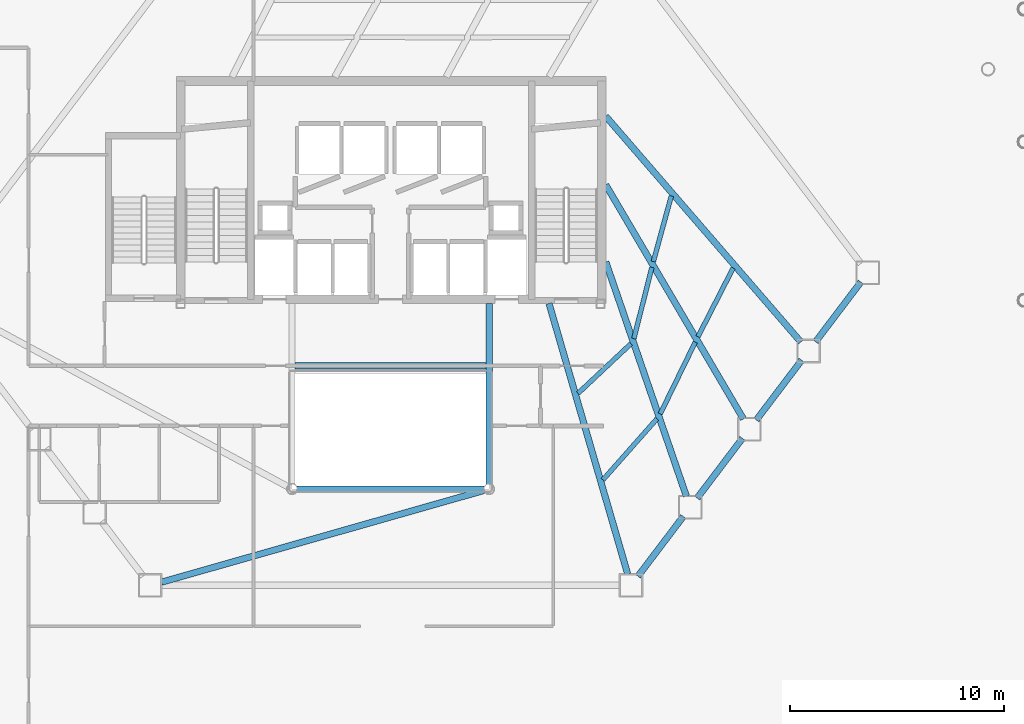
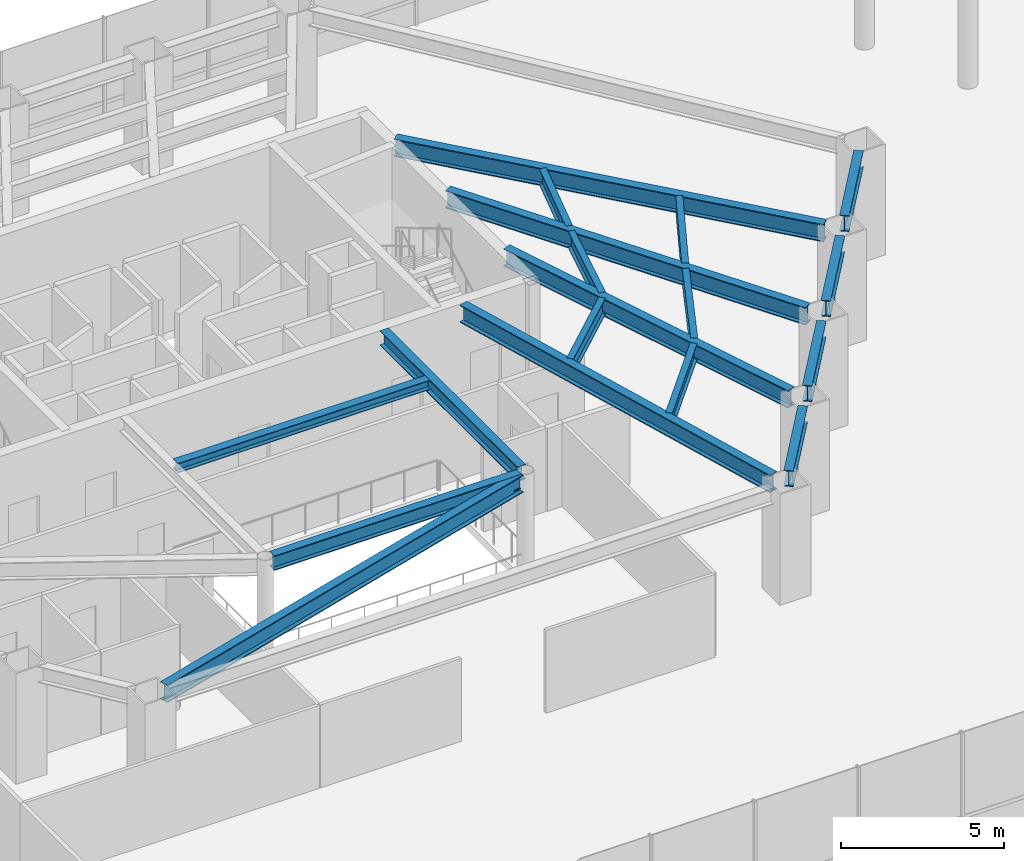
# One storey, part 16 of 37: 18 beams.
"""IFC4 building model written with IfcOpenShell, lengths in metres."""

from ifc_helpers import new_model, si_unit, direction, frame, origin, origin_2d, place, context, subcontext, project, spatial, i_section, extrude, material, material_profile, profile_set, type_object, element, save


model = new_model("IFC4")

# Units and contexts
model_context = context("Model", 3, precision=1e-05, world=origin(), true_north=direction((0.0, 1.0)))
body_context = subcontext(model_context, "Body", "Model", "MODEL_VIEW")
ifc_project = project(units=[si_unit("LENGTHUNIT", "METRE"), si_unit("AREAUNIT", "SQUARE_METRE"), si_unit("VOLUMEUNIT", "CUBIC_METRE"), si_unit("PLANEANGLEUNIT", "RADIAN"), si_unit("MASSUNIT", "GRAM", prefix="KILO")], contexts=[model_context])

# Site, building, storey
site_placement = place(None, origin())
site = spatial("IfcSite", under=ifc_project, at=site_placement, CompositionType="ELEMENT")
building_placement = place(site_placement, origin())
building = spatial("IfcBuilding", under=site, at=building_placement, Name="Zarrinselat Tower", CompositionType="ELEMENT")
storey_placement = place(building_placement, frame((0.0, 0.0, 13.93994140625)))
storey = spatial("IfcBuildingStorey", under=building, at=storey_placement, Name="L03", CompositionType="ELEMENT", Elevation=13.93994140625)

# Beams
ifc_material_1 = material(Name="Steel S355J2", Category="steel")
ifc_material_profile_1 = material_profile(ifc_material_1, i_section(OverallWidth=0.300048828125, OverallDepth=0.35009765625, WebThickness=0.010009765625, FlangeThickness=0.017578125, at=origin_2d()), Name="HEA 360")
ifc_profile_set_1 = profile_set([ifc_material_profile_1], Name="Steel S355J2")
beam_type_1 = type_object("IfcBeamType", Name="BM-HEA360", PredefinedType="LINTEL", material=ifc_profile_set_1)
beam_1_placement = place(storey_placement, frame((33.93994140625, 30.14990234375, 3.965087890625), z_axis=(1.0, 0.0, 0.0), x_axis=(0.0, 1.0, 0.0)))
element("IfcBeam", 1, at=beam_1_placement, inside=storey, type_object=beam_type_1, Name="L03 Lift Lobby Ceiling Beam", PredefinedType="LINTEL", context=body_context, shape_type="SweptSolid", body=[
    extrude(i_section(OverallWidth=0.300048828125, OverallDepth=0.35009765625, WebThickness=0.010009765625, FlangeThickness=0.017578125, at=origin_2d()), origin(), (0.0, 0.0, 1.0), 8.920166015625),
])
ifc_material_2 = material(Name="Steel S355J2", Category="steel")
ifc_material_profile_2 = material_profile(ifc_material_2, i_section(OverallWidth=0.300048828125, OverallDepth=0.550048828125, WebThickness=0.014892578125, FlangeThickness=0.029052734375, at=origin_2d()), Name="HEB 550")
ifc_profile_set_2 = profile_set([ifc_material_profile_2], Name="Steel S355J2")
beam_type_2 = type_object("IfcBeamType", Name="BM-HEB550", PredefinedType="BEAM", material=ifc_profile_set_2)
beam_2_placement = place(storey_placement, frame((34.0400390625, 24.39990234375, 3.864990234375), z_axis=(1.0, 0.0, 0.0), x_axis=(0.0, 1.0, 0.0)))
element("IfcBeam", 2, at=beam_2_placement, inside=storey, type_object=beam_type_2, Name="L03 Atrium Edge Beam S", PredefinedType="BEAM", context=body_context, shape_type="SweptSolid", body=[
    extrude(i_section(OverallWidth=0.300048828125, OverallDepth=0.550048828125, WebThickness=0.014892578125, FlangeThickness=0.029052734375, at=origin_2d()), origin(), (0.0, 0.0, 1.0), 8.719970703125),
])
beam_3_placement = place(storey_placement, frame((43.0, 24.639892578125, 3.864990234375), z_axis=(0.0, 1.0, 0.0), x_axis=(-1.0, 0.0, 0.0)))
element("IfcBeam", 3, at=beam_3_placement, inside=storey, type_object=beam_type_2, Name="L03 Atrium Edge Beam E", PredefinedType="BEAM", context=body_context, shape_type="SweptSolid", body=[
    extrude(i_section(OverallWidth=0.300048828125, OverallDepth=0.550048828125, WebThickness=0.014892578125, FlangeThickness=0.029052734375, at=origin_2d()), origin(), (0.0, 0.0, 1.0), 8.420166015625),
])
ifc_material_3 = material(Name="Steel S355J2", Category="steel")
ifc_material_profile_3 = material_profile(ifc_material_3, i_section(OverallWidth=0.300048828125, OverallDepth=0.60009765625, WebThickness=0.015380859375, FlangeThickness=0.030029296875, at=origin_2d()), Name="HEB 600")
ifc_profile_set_3 = profile_set([ifc_material_profile_3], Name="Steel S355J2")
beam_type_3 = type_object("IfcBeamType", Name="BM-HEB600", PredefinedType="BEAM", material=ifc_profile_set_3)
beam_4_placement = place(storey_placement, frame((49.951904296875, 20.32470703125, 3.840087890625), z_axis=(0.60380802351, 0.797129770329, 0.0), x_axis=(-0.797129770329, 0.60380802351, 0.0)))
element("IfcBeam", 4, at=beam_4_placement, inside=storey, type_object=beam_type_3, Name="L03 Perimeter Spandrel Girder SP11", PredefinedType="BEAM", context=body_context, shape_type="SweptSolid", body=[
    extrude(i_section(OverallWidth=0.300048828125, OverallDepth=0.60009765625, WebThickness=0.015380859375, FlangeThickness=0.030029296875, at=origin_2d()), origin(), (0.0, 0.0, 1.0), 3.501953125),
])
beam_5_placement = place(storey_placement, frame((52.71630859375, 23.973876953125, 3.840087890625), z_axis=(0.603841579957, 0.797104350958, 0.0), x_axis=(-0.797104350958, 0.603841579957, 0.0)))
element("IfcBeam", 5, at=beam_5_placement, inside=storey, type_object=beam_type_3, Name="L03 Perimeter Spandrel Girder SP12", PredefinedType="BEAM", context=body_context, shape_type="SweptSolid", body=[
    extrude(i_section(OverallWidth=0.300048828125, OverallDepth=0.60009765625, WebThickness=0.015380859375, FlangeThickness=0.030029296875, at=origin_2d()), origin(), (0.0, 0.0, 1.0), 3.501708984375),
])
for number, where, z_axis, x_axis, name in (
    (6, (55.480712890625, 27.622802734375, 3.840087890625), (0.60380802351, 0.797129770329, 0.0), (-0.797129770329, 0.60380802351, 0.0), "L03 Perimeter Spandrel Girder SP13"),
    (7, (58.2451171875, 31.271728515625, 3.840087890625), (0.60380802351, 0.797129770329, 0.0), (-0.797129770329, 0.60380802351, 0.0), "L03 Perimeter Spandrel Girder SP14"),
):
    element("IfcBeam", number, at=place(storey_placement, frame(where, z_axis=z_axis, x_axis=x_axis)), inside=storey, type_object=beam_type_3, Name=name, PredefinedType="BEAM", context=body_context, shape_type="SweptSolid", body=[
        extrude(i_section(OverallWidth=0.300048828125, OverallDepth=0.60009765625, WebThickness=0.015380859375, FlangeThickness=0.030029296875, at=origin_2d()), origin(), (0.0, 0.0, 1.0), 3.501953125),
    ])
ifc_material_4 = material(Name="Steel S355J2", Category="steel")
ifc_material_profile_4 = material_profile(ifc_material_4, i_section(OverallWidth=0.300048828125, OverallDepth=0.64990234375, WebThickness=0.01611328125, FlangeThickness=0.031005859375, at=origin_2d()), Name="HEB 650")
ifc_profile_set_4 = profile_set([ifc_material_profile_4], Name="Steel S355J2")
beam_type_4 = type_object("IfcBeamType", Name="BM-HEB650", PredefinedType="BEAM", material=ifc_profile_set_4)
beam_6_placement = place(storey_placement, frame((27.703857421875, 20.047119140625, 3.81494140625), z_axis=(0.961813567689, 0.27370542744, 0.0), x_axis=(-0.27370542744, 0.961813567689, 0.0)))
element("IfcBeam", 8, at=beam_6_placement, inside=storey, type_object=beam_type_4, Name="L03 Radial Primary Girder RG10", PredefinedType="BEAM", context=body_context, shape_type="SweptSolid", body=[
    extrude(i_section(OverallWidth=0.300048828125, OverallDepth=0.64990234375, WebThickness=0.01611328125, FlangeThickness=0.031005859375, at=origin_2d()), origin(), (0.0, 0.0, 1.0), 15.6533203125),
])
beam_7_placement = place(storey_placement, frame((45.800048828125, 33.06005859375, 3.81494140625), z_axis=(0.279154101164, -0.960246316214, 0.0), x_axis=(0.960246316214, 0.279154101164, 0.0)))
element("IfcBeam", 9, at=beam_7_placement, inside=storey, type_object=beam_type_4, Name="L03 Radial Primary Girder RG11", PredefinedType="BEAM", context=body_context, shape_type="SweptSolid", body=[
    extrude(i_section(OverallWidth=0.300048828125, OverallDepth=0.64990234375, WebThickness=0.01611328125, FlangeThickness=0.031005859375, at=origin_2d()), origin(), (0.0, 0.0, 1.0), 13.156982421875),
])
beam_8_placement = place(storey_placement, frame((48.449951171875, 35.0, 3.81494140625), z_axis=(0.325366553605, -0.945587968301, 0.0), x_axis=(0.945587968301, 0.325366553605, 0.0)))
element("IfcBeam", 10, at=beam_8_placement, inside=storey, type_object=beam_type_4, Name="L03 Radial Primary Girder RG12", PredefinedType="BEAM", context=body_context, shape_type="SweptSolid", body=[
    extrude(i_section(OverallWidth=0.300048828125, OverallDepth=0.64990234375, WebThickness=0.01611328125, FlangeThickness=0.031005859375, at=origin_2d()), origin(), (0.0, 0.0, 1.0), 11.562255859375),
])
beam_9_placement = place(storey_placement, frame((48.449951171875, 38.60009765625, 3.81494140625), z_axis=(0.506815631178, -0.862054473913, 0.0), x_axis=(0.862054473913, 0.506815631178, 0.0)))
element("IfcBeam", 11, at=beam_9_placement, inside=storey, type_object=beam_type_4, Name="L03 Radial Primary Girder RG13", PredefinedType="BEAM", context=body_context, shape_type="SweptSolid", body=[
    extrude(i_section(OverallWidth=0.300048828125, OverallDepth=0.64990234375, WebThickness=0.01611328125, FlangeThickness=0.031005859375, at=origin_2d()), origin(), (0.0, 0.0, 1.0), 12.67919921875),
])
beam_10_placement = place(storey_placement, frame((48.449951171875, 41.800048828125, 3.81494140625), z_axis=(0.653899074597, -0.756581786882, 0.0), x_axis=(0.756581786882, 0.653899074597, 0.0)))
element("IfcBeam", 12, at=beam_10_placement, inside=storey, type_object=beam_type_4, Name="L03 Radial Primary Girder RG14", PredefinedType="BEAM", context=body_context, shape_type="SweptSolid", body=[
    extrude(i_section(OverallWidth=0.300048828125, OverallDepth=0.64990234375, WebThickness=0.01611328125, FlangeThickness=0.031005859375, at=origin_2d()), origin(), (0.0, 0.0, 1.0), 13.930419921875),
])
ifc_material_5 = material(Name="Steel S355J2", Category="steel")
ifc_material_profile_5 = material_profile(ifc_material_5, i_section(OverallWidth=0.219970703125, OverallDepth=0.60009765625, WebThickness=0.011962890625, FlangeThickness=0.01904296875, at=origin_2d()), Name="IPE 600")
ifc_profile_set_5 = profile_set([ifc_material_profile_5], Name="Steel S355J2")
beam_type_5 = type_object("IfcBeamType", Name="BM-IPE600", PredefinedType="JOIST", material=ifc_profile_set_5)
beam_11_placement = place(storey_placement, frame((48.31689453125, 24.826416015625, 3.840087890625), z_axis=(0.662479827285, 0.749079754393, 0.0), x_axis=(-0.749079754393, 0.662479827285, 0.0)))
element("IfcBeam", 13, at=beam_11_placement, inside=storey, type_object=beam_type_5, Name="L03 Composite Floor Joist 3-1", PredefinedType="JOIST", context=body_context, shape_type="SweptSolid", body=[
    extrude(i_section(OverallWidth=0.219970703125, OverallDepth=0.60009765625, WebThickness=0.011962890625, FlangeThickness=0.01904296875, at=origin_2d()), origin(), (0.0, 0.0, 1.0), 3.80859375),
])
beam_12_placement = place(storey_placement, frame((47.15087890625, 28.8603515625, 3.840087890625), z_axis=(0.728752445386, 0.684777243594, 0.0), x_axis=(-0.684777243594, 0.728752445386, 0.0)))
element("IfcBeam", 14, at=beam_12_placement, inside=storey, type_object=beam_type_5, Name="L03 Composite Floor Joist 3-2", PredefinedType="JOIST", context=body_context, shape_type="SweptSolid", body=[
    extrude(i_section(OverallWidth=0.219970703125, OverallDepth=0.60009765625, WebThickness=0.011962890625, FlangeThickness=0.01904296875, at=origin_2d()), origin(), (0.0, 0.0, 1.0), 3.397705078125),
])
beam_13_placement = place(storey_placement, frame((50.994140625, 27.909912109375, 3.840087890625), z_axis=(0.438680359766, 0.8986431672, 0.0), x_axis=(-0.8986431672, 0.438680359766, 0.0)))
element("IfcBeam", 15, at=beam_13_placement, inside=storey, type_object=beam_type_5, Name="L03 Composite Floor Joist 4-1", PredefinedType="JOIST", context=body_context, shape_type="SweptSolid", body=[
    extrude(i_section(OverallWidth=0.219970703125, OverallDepth=0.60009765625, WebThickness=0.011962890625, FlangeThickness=0.01904296875, at=origin_2d()), origin(), (0.0, 0.0, 1.0), 3.728271484375),
])
beam_14_placement = place(storey_placement, frame((49.76318359375, 31.418701171875, 3.840087890625), z_axis=(0.243924209256, 0.969794297848, 0.0), x_axis=(-0.969794297848, 0.243924209256, 0.0)))
element("IfcBeam", 16, at=beam_14_placement, inside=storey, type_object=beam_type_5, Name="L03 Composite Floor Joist 4-2", PredefinedType="JOIST", context=body_context, shape_type="SweptSolid", body=[
    extrude(i_section(OverallWidth=0.219970703125, OverallDepth=0.60009765625, WebThickness=0.011962890625, FlangeThickness=0.01904296875, at=origin_2d()), origin(), (0.0, 0.0, 1.0), 3.43310546875),
])
beam_15_placement = place(storey_placement, frame((52.7548828125, 31.5107421875, 3.840087890625), z_axis=(0.455833998085, 0.890064810107, 0.0), x_axis=(-0.890064810107, 0.455833998085, 0.0)))
element("IfcBeam", 17, at=beam_15_placement, inside=storey, type_object=beam_type_5, Name="L03 Composite Floor Joist 5-1", PredefinedType="JOIST", context=body_context, shape_type="SweptSolid", body=[
    extrude(i_section(OverallWidth=0.219970703125, OverallDepth=0.60009765625, WebThickness=0.011962890625, FlangeThickness=0.01904296875, at=origin_2d()), origin(), (0.0, 0.0, 1.0), 3.60498046875),
])
beam_16_placement = place(storey_placement, frame((50.671875, 35.018798828125, 3.840087890625), z_axis=(0.26395004358, 0.964536352085, 0.0), x_axis=(-0.964536352085, 0.26395004358, 0.0)))
element("IfcBeam", 18, at=beam_16_placement, inside=storey, type_object=beam_type_5, Name="L03 Composite Floor Joist 5-2", PredefinedType="JOIST", context=body_context, shape_type="SweptSolid", body=[
    extrude(i_section(OverallWidth=0.219970703125, OverallDepth=0.60009765625, WebThickness=0.011962890625, FlangeThickness=0.01904296875, at=origin_2d()), origin(), (0.0, 0.0, 1.0), 3.17529296875),
])

save(model, "model.ifc")
